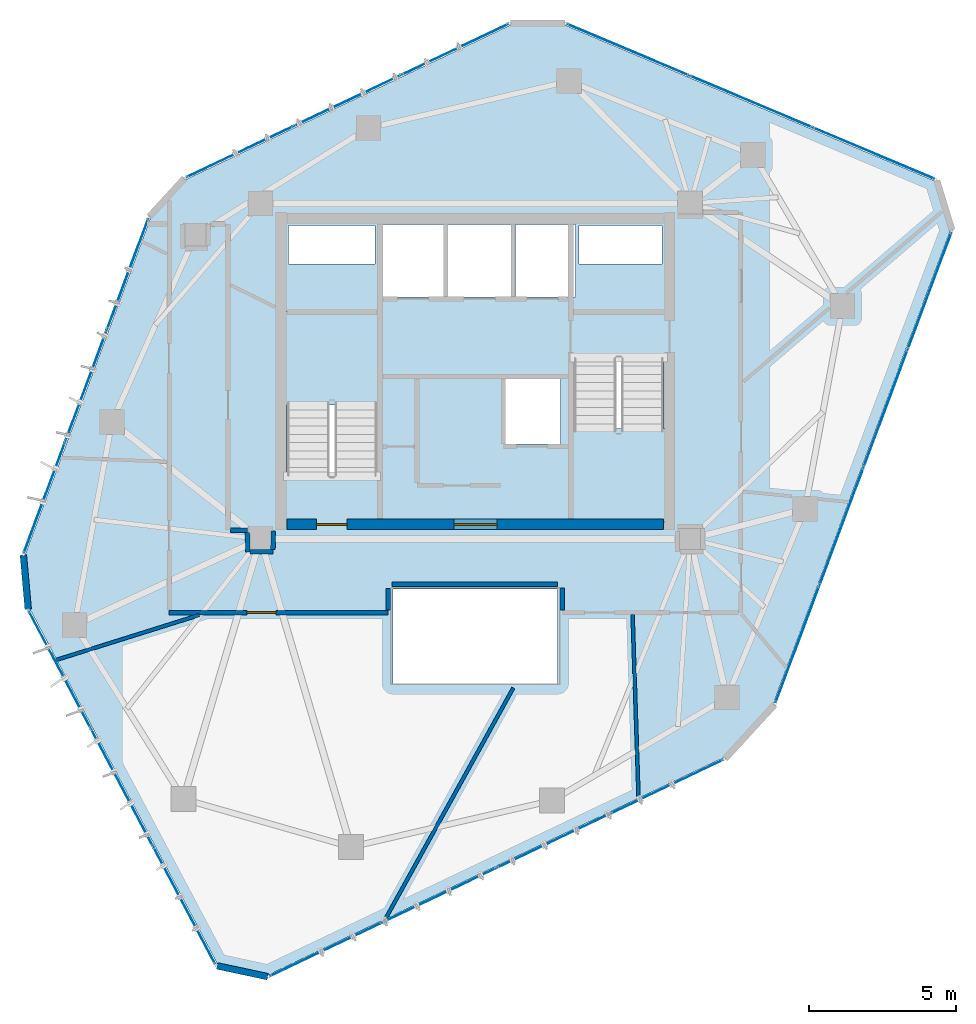
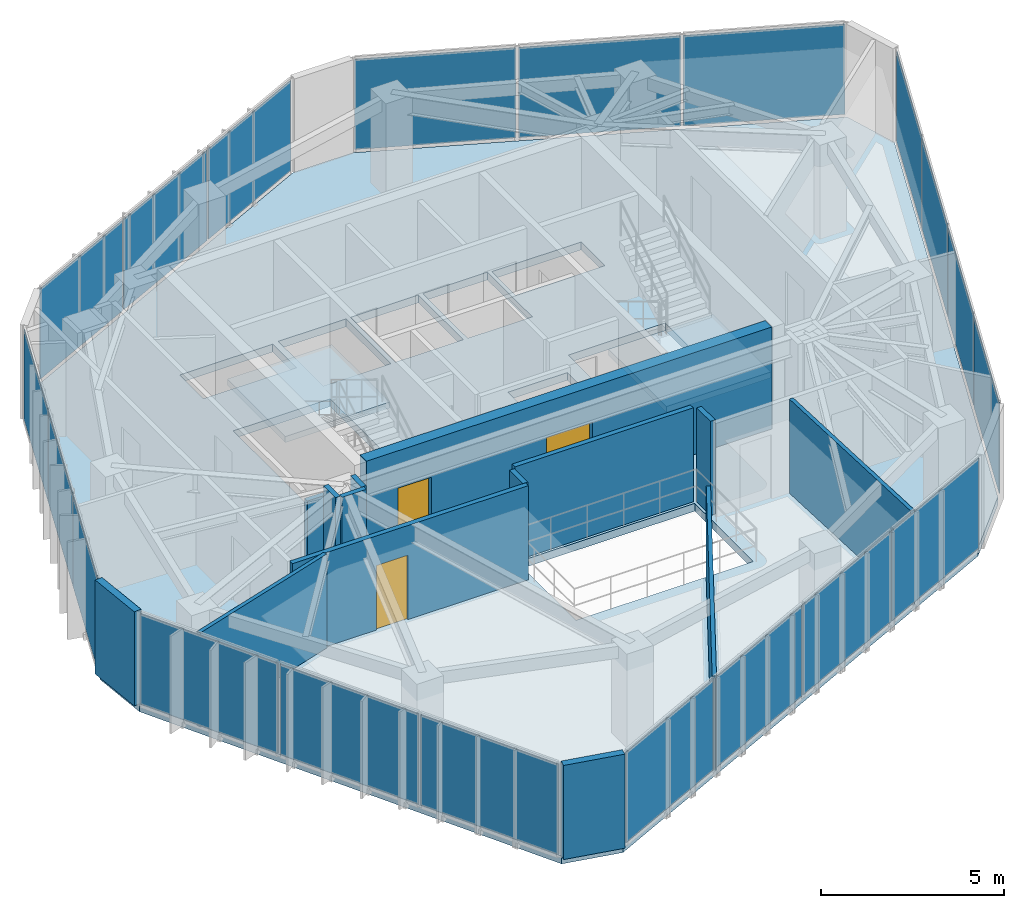
# One storey, part 16 of 20: 20 plates, 14 walls, 3 doors, 3 slabs, 3 openings, 8 elements without a shape of their own.
"""IFC4 building model written with IfcOpenShell, lengths in metres."""

import ifcopenshell
import ifcopenshell.guid

model = None  # the IFC model being written
_history = None  # IfcOwnerHistory: only IFC2X3 demands one
_inside = {}  # id of a spatial element -> (the spatial element, [elements in it])
_under = {}  # id of a project, library or spatial element -> (it, [spatial elements below it])
_declared = {}  # id of a project -> (the project, [libraries it declares])
_typed = {}  # id of a type object -> (the type object, [elements of that type])
_made_of = {}  # id of a material, layer set ... -> (it, [elements and type objects made of it])


def new_model(schema):
    """Start an empty IFC model of exactly this schema.

    Asked for "IFC4X3", IfcOpenShell would pick the latest addendum, in which some entities
    have other attributes; the version numbers below select the first issue.
    IFC2X3 requires an IfcOwnerHistory on every rooted entity: one is made here for all.
    """
    global model, _history
    if schema == "IFC4X3":
        model = ifcopenshell.file(schema_version=(4, 3, 0, 0))
    else:
        model = ifcopenshell.file(schema=schema)
    _inside.clear()
    _under.clear()
    _declared.clear()
    _typed.clear()
    _made_of.clear()
    _history = None
    if model.schema == "IFC2X3":
        org = make("IfcOrganization", Name="unknown")
        user = make(
            "IfcPersonAndOrganization",
            ThePerson=make("IfcPerson", FamilyName="unknown"),
            TheOrganization=org,
        )
        app = make(
            "IfcApplication",
            ApplicationDeveloper=org,
            Version="unknown",
            ApplicationFullName="unknown",
            ApplicationIdentifier="unknown",
        )
        _history = make(
            "IfcOwnerHistory",
            OwningUser=user,
            OwningApplication=app,
            ChangeAction="ADDED",
            CreationDate=0,
        )
    return model


def make(cls, **values):
    """One entity of the class cls with the attributes given. An attribute that is None is left unset."""
    return model.create_entity(
        cls, **{name: value for name, value in values.items() if value is not None}
    )


def rooted(cls, **values):
    """An entity with a GlobalId (a new one), such as an element, a storey or a relation."""
    return make(cls, GlobalId=ifcopenshell.guid.new(), OwnerHistory=_history, **values)


def si_unit(unit_type, name, prefix=None):
    """IfcSIUnit, for example si_unit("LENGTHUNIT", "METRE", prefix="MILLI")."""
    return make("IfcSIUnit", UnitType=unit_type, Prefix=prefix, Name=name)


def assignment(units):
    """IfcUnitAssignment: the units of a project."""
    return None if units is None else make("IfcUnitAssignment", Units=units)


def point(xyz):
    """IfcCartesianPoint."""
    return None if xyz is None else make("IfcCartesianPoint", Coordinates=xyz)


def direction(xyz):
    """IfcDirection."""
    return None if xyz is None else make("IfcDirection", DirectionRatios=xyz)


def frame(location, z_axis=None, x_axis=None):
    """IfcAxis2Placement3D, a coordinate frame: its origin and axes. An axis left out is left unset."""
    return make(
        "IfcAxis2Placement3D",
        Location=point(location),
        Axis=direction(z_axis),
        RefDirection=direction(x_axis),
    )


def frame_2d(location, x_axis=None):
    """IfcAxis2Placement2D, a coordinate frame in the plane: its origin and x axis."""
    return make(
        "IfcAxis2Placement2D", Location=point(location), RefDirection=direction(x_axis)
    )


def origin():
    """The frame at (0, 0, 0) with its axes left unset."""
    return frame((0.0, 0.0, 0.0))


def origin_2d():
    """The frame at (0, 0) in the plane with its x axis left unset."""
    return frame_2d((0.0, 0.0))


def place(relative_to, where):
    """IfcLocalPlacement: puts the frame where relative to a parent placement (None: the world)."""
    return make(
        "IfcLocalPlacement", PlacementRelTo=relative_to, RelativePlacement=where
    )


def context(
    kind, dimensions, precision=None, world=None, true_north=None, identifier=None
):
    """IfcGeometricRepresentationContext, for example the 3D "Model" context."""
    return make(
        "IfcGeometricRepresentationContext",
        ContextIdentifier=identifier,
        ContextType=kind,
        CoordinateSpaceDimension=dimensions,
        Precision=precision,
        WorldCoordinateSystem=world,
        TrueNorth=true_north,
    )


def subcontext(parent, identifier, kind, view, scale=None):
    """IfcGeometricRepresentationSubContext, for example "Body" below "Model"."""
    return make(
        "IfcGeometricRepresentationSubContext",
        ContextIdentifier=identifier,
        ContextType=kind,
        ParentContext=parent,
        TargetScale=scale,
        TargetView=view,
    )


def project(units=None, contexts=None):
    """IfcProject with its units and contexts."""
    return rooted(
        "IfcProject",
        Name="project",
        RepresentationContexts=contexts,
        UnitsInContext=assignment(units),
    )


def spatial(cls, under=None, at=None, **own):
    """A site, building, storey or space (cls), placed at a placement, below another one or the project."""
    s = rooted(cls, ObjectPlacement=at, **own)
    if under is not None:
        _under.setdefault(under.id(), (under, []))[1].append(s)
    return s


def polyline(points):
    """IfcPolyline through the points."""
    return make("IfcPolyline", Points=[point(p) for p in points])


def profile(cls, at=None, kind="AREA", **sizes):
    """A parametric profile (cls). Its sizes go by their IFC names, for example OverallWidth=200.0."""
    return make(cls, ProfileType=kind, Position=at, **sizes)


def rectangle(**sizes):
    """IfcRectangleProfileDef."""
    return profile("IfcRectangleProfileDef", **sizes)


def outline(outer, holes=None, kind="AREA"):
    """IfcArbitraryClosedProfileDef: a profile drawn as a closed curve; with holes, ...WithVoids."""
    if holes is None:
        return make("IfcArbitraryClosedProfileDef", ProfileType=kind, OuterCurve=outer)
    return make(
        "IfcArbitraryProfileDefWithVoids",
        ProfileType=kind,
        OuterCurve=outer,
        InnerCurves=holes,
    )


def extrude(swept, where, along, depth):
    """IfcExtrudedAreaSolid: the profile swept, set in the frame where, extruded along a direction by depth."""
    return make(
        "IfcExtrudedAreaSolid",
        SweptArea=swept,
        Position=where,
        ExtrudedDirection=direction(along),
        Depth=depth,
    )


def shape(context_of_items, identifier, shape_type, items):
    """IfcShapeRepresentation: the items that make up one representation, for example the "Body"."""
    return make(
        "IfcShapeRepresentation",
        ContextOfItems=context_of_items,
        RepresentationIdentifier=identifier,
        RepresentationType=shape_type,
        Items=items,
    )


def source(mapping_origin, context_of_items, identifier, shape_type, items):
    """IfcRepresentationMap: a shape defined once, which mapped items show again and again."""
    return make(
        "IfcRepresentationMap",
        MappingOrigin=mapping_origin,
        MappedRepresentation=shape(context_of_items, identifier, shape_type, items),
    )


def transform(
    local_origin,
    x_axis=None,
    y_axis=None,
    z_axis=None,
    scale=None,
    scale2=None,
    scale3=None,
    uniform=True,
):
    """IfcCartesianTransformationOperator3D, or its non-uniform kind. x_axis, y_axis, z_axis: its Axis1, 2, 3."""
    if uniform:
        return make(
            "IfcCartesianTransformationOperator3D",
            Axis1=direction(x_axis),
            Axis2=direction(y_axis),
            LocalOrigin=point(local_origin),
            Scale=scale,
            Axis3=direction(z_axis),
        )
    return make(
        "IfcCartesianTransformationOperator3DnonUniform",
        Axis1=direction(x_axis),
        Axis2=direction(y_axis),
        LocalOrigin=point(local_origin),
        Scale=scale,
        Axis3=direction(z_axis),
        Scale2=scale2,
        Scale3=scale3,
    )


def mapped(mapping_source, mapping_target):
    """IfcMappedItem: shows the shape of a source again, moved by a transform."""
    return make(
        "IfcMappedItem", MappingSource=mapping_source, MappingTarget=mapping_target
    )


def material(Name=None, Category=None):
    """IfcMaterial."""
    return make("IfcMaterial", Name=Name, Category=Category)


def layer(
    of_material, thickness, ventilated=None, Name=None, Category=None, Priority=None
):
    """IfcMaterialLayer: one layer of a wall or slab, of a material (None: an air gap)."""
    return make(
        "IfcMaterialLayer",
        Material=of_material,
        LayerThickness=thickness,
        IsVentilated=ventilated,
        Name=Name,
        Category=Category,
        Priority=Priority,
    )


def layer_set(layers, Name=None):
    """IfcMaterialLayerSet."""
    return make("IfcMaterialLayerSet", MaterialLayers=layers, LayerSetName=Name)


def made_of(thing, what):
    """Note that an element or type object is made of a material, layer set ...; save() writes the relation."""
    if what is not None:
        _made_of.setdefault(what.id(), (what, []))[1].append(thing)
    return thing


def type_object(cls, material=None, **own):
    """A type object (cls), such as IfcWallType, which elements share."""
    return made_of(rooted(cls, **own), material)


def type_shapes(of_type, sources):
    """Give a type object the sources (RepresentationMaps) that its elements show as mapped items."""
    of_type.RepresentationMaps = sources


def element(
    cls,
    number,
    at=None,
    inside=None,
    cuts=None,
    type_object=None,
    material=None,
    context=None,
    identifier="Body",
    shape_type=None,
    held_by="IfcProductDefinitionShape",
    body=None,
    shapes=None,
    **own,
):
    """One element of the class cls, such as IfcWall. Its Tag is "e" and its number.

    at: its placement. inside: the storey or other place that contains it. cuts: it is an
    opening in that element (IfcRelVoidsElement). A single representation is given by context,
    identifier, shape_type and body (its items); several are given by shapes. held_by: the class
    of the entity that holds the representations. save() writes the other relations.
    """
    e = rooted(cls, Tag="e%d" % number, ObjectPlacement=at, **own)
    if body is not None:
        shapes = [shape(context, identifier, shape_type, body)]
    if shapes is not None:
        e.Representation = make(held_by, Representations=shapes)
    if inside is not None:
        _inside.setdefault(inside.id(), (inside, []))[1].append(e)
    if cuts is not None:
        rooted(
            "IfcRelVoidsElement", RelatingBuildingElement=cuts, RelatedOpeningElement=e
        )
    if type_object is not None:
        _typed.setdefault(type_object.id(), (type_object, []))[1].append(e)
    return made_of(e, material)


def fill(opening, filler):
    """IfcRelFillsElement: the door or window that sits in an opening."""
    return rooted(
        "IfcRelFillsElement",
        RelatingOpeningElement=opening,
        RelatedBuildingElement=filler,
    )


def aggregate(whole, parts):
    """IfcRelAggregates: a whole, such as a stair, and the parts it consists of."""
    return rooted("IfcRelAggregates", RelatingObject=whole, RelatedObjects=parts)


def save(model, path):
    """Write the relations noted so far, then the file.

    IfcRelAggregates (storeys below a building ...), IfcRelContainedInSpatialStructure (elements
    in a storey), IfcRelDefinesByType, IfcRelAssociatesMaterial and IfcRelDeclares: one each for
    every whole, place, type object, material and project.
    """
    for whole, parts in _under.values():
        aggregate(whole, parts)
    for where, things in _inside.values():
        rooted(
            "IfcRelContainedInSpatialStructure",
            RelatedElements=things,
            RelatingStructure=where,
        )
    for kind, things in _typed.values():
        rooted("IfcRelDefinesByType", RelatedObjects=things, RelatingType=kind)
    for what, things in _made_of.values():
        rooted("IfcRelAssociatesMaterial", RelatedObjects=things, RelatingMaterial=what)
    for by, libraries in _declared.values():
        rooted("IfcRelDeclares", RelatingContext=by, RelatedDefinitions=libraries)
    model.write(path)


model = new_model("IFC4")

# Units and contexts
model_context = context("Model", 3, precision=1e-05, world=origin(), true_north=direction((0.0, 1.0)))
body_context = subcontext(model_context, "Body", "Model", "MODEL_VIEW")
ifc_project = project(units=[si_unit("LENGTHUNIT", "METRE"), si_unit("AREAUNIT", "SQUARE_METRE"), si_unit("VOLUMEUNIT", "CUBIC_METRE"), si_unit("PLANEANGLEUNIT", "RADIAN"), si_unit("MASSUNIT", "GRAM", prefix="KILO")], contexts=[model_context])

# Site, building, storey
site_placement = place(None, origin())
site = spatial("IfcSite", under=ifc_project, at=site_placement, CompositionType="ELEMENT")
building_placement = place(site_placement, origin())
building = spatial("IfcBuilding", under=site, at=building_placement, Name="Talar Marvaseh", CompositionType="ELEMENT")
storey_placement = place(building_placement, frame((0.0, 0.0, 268.0)))
storey = spatial("IfcBuildingStorey", under=building, at=storey_placement, Name="L71", CompositionType="ELEMENT", Elevation=268.0)

# Stair, slab
ifc_material_1 = material(Name="Concrete C40/50", Category="concrete")
stair_type = type_object("IfcStairType", Name="Reinforced Concrete High-Rise Exit Stair Type C", PredefinedType="HALF_TURN_STAIR", material=ifc_material_1)
stair_1_placement = place(storey_placement, origin())
stair_1 = element("IfcStair", 1, at=stair_1_placement, inside=storey, type_object=stair_type, Name="L71 Tower West Core Exit Stair", PredefinedType="HALF_TURN_STAIR")
ifc_layer_1 = layer(ifc_material_1, 0.199951171875)
ifc_layer_set_1 = layer_set([ifc_layer_1], Name="Concrete C40/50")
slab_type_1 = type_object("IfcSlabType", Name="Reinforced Concrete Stair Half-Landing Slab 200", PredefinedType="LANDING", material=ifc_layer_set_1)
slab_1_placement = place(storey_placement, frame((0.0, 0.0, 1.5)))
slab_1 = element("IfcSlab", 2, at=slab_1_placement, type_object=slab_type_1, Name="ST-1 landing 1", PredefinedType="LANDING", context=body_context, shape_type="SweptSolid", body=[
    extrude(outline(polyline([(22.780029296875, 30.050048828125), (22.780029296875, 33.219970703125), (19.47998046875, 33.219970703125), (19.47998046875, 30.050048828125), (22.780029296875, 30.050048828125)])), origin(), (0.0, 0.0, 1.0), 0.199951171875),
])
aggregate(stair_1, [slab_1])

stair_2_placement = place(storey_placement, origin())
stair_2 = element("IfcStair", 3, at=stair_2_placement, inside=storey, type_object=stair_type, Name="L71 Tower East Core Exit Stair", PredefinedType="HALF_TURN_STAIR")
slab_2_placement = place(storey_placement, frame((0.0, 0.0, 1.5)))
slab_2 = element("IfcSlab", 4, at=slab_2_placement, type_object=slab_type_1, Name="ST-2 landing 1", PredefinedType="LANDING", context=body_context, shape_type="SweptSolid", body=[
    extrude(outline(polyline([(29.219970703125, 29.25), (29.219970703125, 26.080078125), (32.52001953125, 26.080078125), (32.52001953125, 29.25), (29.219970703125, 29.25)])), origin(), (0.0, 0.0, 1.0), 0.199951171875),
])
aggregate(stair_2, [slab_2])

# Slab
ifc_layer_2 = layer(ifc_material_1, 0.260009765625)
ifc_layer_set_2 = layer_set([ifc_layer_2], Name="Concrete C40/50")
slab_type_2 = type_object("IfcSlabType", Name="Structural Suspended Floor Slab 260", PredefinedType="FLOOR", material=ifc_layer_set_2)
slab_3_placement = place(storey_placement, frame((0.0, 0.0, -0.260009765625)))
element("IfcSlab", 5, at=slab_3_placement, inside=storey, type_object=slab_type_2, Name="L71 Tower Floor Slab", PredefinedType="FLOOR", context=body_context, shape_type="SweptSolid", body=[
    extrude(outline(polyline([(18.961181640625, 10.690185546875), (17.241943359375, 11.05810546875), (10.873291015625, 23.114013671875), (10.70751953125, 24.962890625), (14.968505859375, 36.40087890625), (16.17138671875, 37.7138671875), (27.194580078125, 42.95556640625), (29.051025390625, 42.951416015625), (41.6162109375, 37.65771484375), (42.132080078125, 35.977294921875), (36.12548828125, 19.918701171875), (34.434814453125, 18.073974609375), (18.961181640625, 10.690185546875)]), holes=[polyline([(22.659912109375, 27.64990234375), (22.659912109375, 33.10009765625), (19.60009765625, 33.10009765625), (19.60009765625, 27.64990234375), (22.659912109375, 27.64990234375)]), polyline([(29.340087890625, 31.64990234375), (29.340087890625, 26.199951171875), (32.39990234375, 26.199951171875), (32.39990234375, 31.64990234375), (29.340087890625, 31.64990234375)]), polyline([(22.800048828125, 33.719970703125), (24.93994140625, 33.719970703125), (24.93994140625, 36.179931640625), (22.800048828125, 36.179931640625), (22.800048828125, 33.719970703125)]), polyline([(25.080078125, 33.719970703125), (27.219970703125, 33.719970703125), (27.219970703125, 36.179931640625), (25.080078125, 36.179931640625), (25.080078125, 33.719970703125)]), polyline([(27.360107421875, 33.719970703125), (29.39990234375, 33.719970703125), (29.39990234375, 36.179931640625), (27.360107421875, 36.179931640625), (27.360107421875, 33.719970703125)]), polyline([(27.02001953125, 28.719970703125), (28.89990234375, 28.719970703125), (28.89990234375, 30.93994140625), (27.02001953125, 30.93994140625), (27.02001953125, 28.719970703125)]), polyline([(19.659912109375, 34.840087890625), (22.60009765625, 34.840087890625), (22.60009765625, 36.139892578125), (19.659912109375, 36.139892578125), (19.659912109375, 34.840087890625)]), polyline([(29.52001953125, 34.840087890625), (32.340087890625, 34.840087890625), (32.340087890625, 36.139892578125), (29.52001953125, 36.139892578125), (29.52001953125, 34.840087890625)]), polyline([(23.199951171875, 20.60009765625), (28.800048828125, 20.60009765625), (28.800048828125, 23.800048828125), (23.199951171875, 23.800048828125), (23.199951171875, 20.60009765625)])]), origin(), (0.0, 0.0, 1.0), 0.260009765625),
])

# Curtain wall, plates
ifc_material_2 = material(Name="Architectural Aluminium", Category="aluminium")
ifc_layer_3 = layer(ifc_material_2, 0.179931640625)
ifc_layer_set_3 = layer_set([ifc_layer_3], Name="Architectural Aluminium")
curtain_wall_type = type_object("IfcCurtainWallType", Name="Unitised High-Wind Sky Curtain Wall Z4", PredefinedType="NOTDEFINED", material=ifc_layer_set_3)
curtain_wall_1_placement = place(storey_placement, origin())
curtain_wall_1 = element("IfcCurtainWall", 6, at=curtain_wall_1_placement, inside=storey, type_object=curtain_wall_type, Name="L71 Unitised High-Wind Sky Curtain Wall Z4", PredefinedType="NOTDEFINED")
ifc_material_3 = material(Name="Laminated Low-E Solar Glass", Category="glass")
ifc_layer_4 = layer(ifc_material_3, 0.028076171875)
ifc_layer_set_4 = layer_set([ifc_layer_4], Name="Laminated Low-E Solar Glass")
plate_type = type_object("IfcPlateType", Name="Double-Glazed Low-E Vision Curtain Panel 28", PredefinedType="CURTAIN_PANEL", material=ifc_layer_set_4)
shared_shape_1 = source(origin(), body_context, "Body", "SweptSolid", [
    extrude(rectangle(XDim=4.447509765625, YDim=0.028076171875, at=origin_2d()), origin(), (0.0, 0.0, 1.0), 3.010009765625),
])
plate_1_placement = place(storey_placement, frame((31.183349609375, 42.1181640625, 0.06494140625), z_axis=(0.0, 0.0, 1.0), x_axis=(0.921550586962, -0.388258310498, 0.0)))
plate_1 = element("IfcPlate", 7, at=plate_1_placement, type_object=plate_type, Name="CW-Z4 panel 1.1", PredefinedType="CURTAIN_PANEL", context=body_context, shape_type="MappedRepresentation", body=[
    mapped(shared_shape_1, transform((0.0, 0.0, 0.0), x_axis=(1.0, 0.0, 0.0), y_axis=(0.0, 1.0, 0.0), z_axis=(0.0, 0.0, 1.0), scale=1.0)),
])
plate_2_placement = place(storey_placement, frame((39.5302734375, 38.6015625, 0.06494140625), z_axis=(0.0, 0.0, 1.0), x_axis=(0.921550586962, -0.388258310498, 0.0)))
plate_2 = element("IfcPlate", 8, at=plate_2_placement, type_object=plate_type, Name="CW-Z4 panel 3.1", PredefinedType="CURTAIN_PANEL", context=body_context, shape_type="MappedRepresentation", body=[
    mapped(shared_shape_1, transform((0.0, 0.0, 0.0), x_axis=(1.0, 0.0, 0.0), y_axis=(0.0, 1.0, 0.0), z_axis=(0.0, 0.0, 1.0), scale=1.0)),
])

# Curtain wall, plate
curtain_wall_2_placement = place(storey_placement, origin())
curtain_wall_2 = element("IfcCurtainWall", 9, at=curtain_wall_2_placement, inside=storey, type_object=curtain_wall_type, Name="L71 Unitised High-Wind Sky Curtain Wall Z4", PredefinedType="NOTDEFINED")
shared_shape_2 = source(origin(), body_context, "Body", "SweptSolid", [
    extrude(rectangle(XDim=4.47998046875, YDim=0.028076171875, at=origin_2d()), origin(), (0.0, 0.0, 1.0), 3.010009765625),
])
plate_3_placement = place(storey_placement, frame((14.004638671875, 17.05810546875, 0.06494140625), z_axis=(0.0, 0.0, 1.0), x_axis=(-0.467097989071, 0.884205557891, 0.0)))
plate_3 = element("IfcPlate", 10, at=plate_3_placement, type_object=plate_type, Name="CW-Z4 panel 2.1", PredefinedType="CURTAIN_PANEL", context=body_context, shape_type="MappedRepresentation", body=[
    mapped(shared_shape_2, transform((0.0, 0.0, 0.0), x_axis=(1.0, 0.0, 0.0), y_axis=(0.0, 1.0, 0.0), z_axis=(0.0, 0.0, 1.0), scale=1.0)),
])

# Plate
plate_4_placement = place(storey_placement, frame((35.35693359375, 40.35986328125, 0.06494140625), z_axis=(0.0, 0.0, 1.0), x_axis=(0.921550586962, -0.388258310498, 0.0)))
plate_4 = element("IfcPlate", 11, at=plate_4_placement, type_object=plate_type, Name="CW-Z4 panel 2.1", PredefinedType="CURTAIN_PANEL", context=body_context, shape_type="MappedRepresentation", body=[
    mapped(shared_shape_2, transform((0.0, 0.0, 0.0), x_axis=(1.0, 0.0, 0.0), y_axis=(0.0, 1.0, 0.0), z_axis=(0.0, 0.0, 1.0), scale=1.0)),
])

aggregate(curtain_wall_1, [plate_1, plate_4, plate_2])

# Curtain wall, plates
curtain_wall_3_placement = place(storey_placement, origin())
curtain_wall_3 = element("IfcCurtainWall", 12, at=curtain_wall_3_placement, inside=storey, type_object=curtain_wall_type, Name="L71 Unitised High-Wind Sky Curtain Wall Z4", PredefinedType="NOTDEFINED")
shared_shape_3 = source(origin(), body_context, "Body", "SweptSolid", [
    extrude(rectangle(XDim=3.97119140625, YDim=0.028076171875, at=origin_2d()), origin(), (0.0, 0.0, 1.0), 3.010009765625),
])
plate_5_placement = place(storey_placement, frame((11.366943359375, 26.905517578125, 0.06494140625), z_axis=(0.0, 0.0, 1.0), x_axis=(0.34909350612, 0.937087895549, 0.0)))
plate_5 = element("IfcPlate", 13, at=plate_5_placement, type_object=plate_type, Name="CW-Z4 panel 1.1", PredefinedType="CURTAIN_PANEL", context=body_context, shape_type="MappedRepresentation", body=[
    mapped(shared_shape_3, transform((0.0, 0.0, 0.0), x_axis=(1.0, 0.0, 0.0), y_axis=(0.0, 1.0, 0.0), z_axis=(0.0, 0.0, 1.0), scale=1.0)),
])
plate_6_placement = place(storey_placement, frame((14.1962890625, 34.500244140625, 0.06494140625), z_axis=(0.0, 0.0, 1.0), x_axis=(0.34909350612, 0.937087895549, 0.0)))
plate_6 = element("IfcPlate", 14, at=plate_6_placement, type_object=plate_type, Name="CW-Z4 panel 3.1", PredefinedType="CURTAIN_PANEL", context=body_context, shape_type="MappedRepresentation", body=[
    mapped(shared_shape_3, transform((0.0, 0.0, 0.0), x_axis=(1.0, 0.0, 0.0), y_axis=(0.0, 1.0, 0.0), z_axis=(0.0, 0.0, 1.0), scale=1.0)),
])

curtain_wall_4_placement = place(storey_placement, origin())
curtain_wall_4 = element("IfcCurtainWall", 15, at=curtain_wall_4_placement, inside=storey, type_object=curtain_wall_type, Name="L71 Unitised High-Wind Sky Curtain Wall Z4", PredefinedType="NOTDEFINED")
plate_7_placement = place(storey_placement, frame((17.99755859375, 38.648681640625, 0.06494140625), z_axis=(0.0, 0.0, 1.0), x_axis=(0.903095565784, 0.42943963378, 0.0)))
plate_7 = element("IfcPlate", 16, at=plate_7_placement, type_object=plate_type, Name="CW-Z4 panel 1.1", PredefinedType="CURTAIN_PANEL", context=body_context, shape_type="MappedRepresentation", body=[
    mapped(shared_shape_3, transform((0.0, 0.0, 0.0), x_axis=(1.0, 0.0, 0.0), y_axis=(0.0, 1.0, 0.0), z_axis=(0.0, 0.0, 1.0), scale=1.0)),
])
plate_8_placement = place(storey_placement, frame((25.31689453125, 42.129150390625, 0.06494140625), z_axis=(0.0, 0.0, 1.0), x_axis=(0.903095565784, 0.42943963378, 0.0)))
plate_8 = element("IfcPlate", 17, at=plate_8_placement, type_object=plate_type, Name="CW-Z4 panel 3.1", PredefinedType="CURTAIN_PANEL", context=body_context, shape_type="MappedRepresentation", body=[
    mapped(shared_shape_3, transform((0.0, 0.0, 0.0), x_axis=(1.0, 0.0, 0.0), y_axis=(0.0, 1.0, 0.0), z_axis=(0.0, 0.0, 1.0), scale=1.0)),
])

# Plate
shared_shape_4 = source(origin(), body_context, "Body", "SweptSolid", [
    extrude(rectangle(XDim=4.003662109375, YDim=0.028076171875, at=origin_2d()), origin(), (0.0, 0.0, 1.0), 3.010009765625),
])
plate_9_placement = place(storey_placement, frame((12.78173828125, 30.702880859375, 0.06494140625), z_axis=(0.0, 0.0, 1.0), x_axis=(0.34909350612, 0.937087895549, 0.0)))
plate_9 = element("IfcPlate", 18, at=plate_9_placement, type_object=plate_type, Name="CW-Z4 panel 2.1", PredefinedType="CURTAIN_PANEL", context=body_context, shape_type="MappedRepresentation", body=[
    mapped(shared_shape_4, transform((0.0, 0.0, 0.0), x_axis=(1.0, 0.0, 0.0), y_axis=(0.0, 1.0, 0.0), z_axis=(0.0, 0.0, 1.0), scale=1.0)),
])

aggregate(curtain_wall_3, [plate_5, plate_9, plate_6])

plate_10_placement = place(storey_placement, frame((21.6572265625, 40.388916015625, 0.06494140625), z_axis=(0.0, 0.0, 1.0), x_axis=(0.903095565784, 0.42943963378, 0.0)))
plate_10 = element("IfcPlate", 19, at=plate_10_placement, type_object=plate_type, Name="CW-Z4 panel 2.1", PredefinedType="CURTAIN_PANEL", context=body_context, shape_type="MappedRepresentation", body=[
    mapped(shared_shape_4, transform((0.0, 0.0, 0.0), x_axis=(1.0, 0.0, 0.0), y_axis=(0.0, 1.0, 0.0), z_axis=(0.0, 0.0, 1.0), scale=1.0)),
])

aggregate(curtain_wall_4, [plate_7, plate_10, plate_8])

# Curtain wall, plates
curtain_wall_5_placement = place(storey_placement, origin())
curtain_wall_5 = element("IfcCurtainWall", 20, at=curtain_wall_5_placement, inside=storey, type_object=curtain_wall_type, Name="L71 Unitised High-Wind Sky Curtain Wall Z4", PredefinedType="NOTDEFINED")
shared_shape_5 = source(origin(), body_context, "Body", "SweptSolid", [
    extrude(rectangle(XDim=4.188720703125, YDim=0.028076171875, at=origin_2d()), origin(), (0.0, 0.0, 1.0), 3.010009765625),
])
plate_11_placement = place(storey_placement, frame((41.431884765625, 33.93359375, 0.06494140625), z_axis=(0.0, 0.0, 1.0), x_axis=(-0.350351185001, -0.93661841065, 0.0)))
plate_11 = element("IfcPlate", 21, at=plate_11_placement, type_object=plate_type, Name="CW-Z4 panel 1.1", PredefinedType="CURTAIN_PANEL", context=body_context, shape_type="MappedRepresentation", body=[
    mapped(shared_shape_5, transform((0.0, 0.0, 0.0), x_axis=(1.0, 0.0, 0.0), y_axis=(0.0, 1.0, 0.0), z_axis=(0.0, 0.0, 1.0), scale=1.0)),
])
plate_12_placement = place(storey_placement, frame((36.938232421875, 21.92041015625, 0.06494140625), z_axis=(0.0, 0.0, 1.0), x_axis=(-0.350351185001, -0.93661841065, 0.0)))
plate_12 = element("IfcPlate", 22, at=plate_12_placement, type_object=plate_type, Name="CW-Z4 panel 4.1", PredefinedType="CURTAIN_PANEL", context=body_context, shape_type="MappedRepresentation", body=[
    mapped(shared_shape_5, transform((0.0, 0.0, 0.0), x_axis=(1.0, 0.0, 0.0), y_axis=(0.0, 1.0, 0.0), z_axis=(0.0, 0.0, 1.0), scale=1.0)),
])

curtain_wall_6_placement = place(storey_placement, origin())
curtain_wall_6 = element("IfcCurtainWall", 23, at=curtain_wall_6_placement, inside=storey, type_object=curtain_wall_type, Name="L71 Unitised High-Wind Sky Curtain Wall Z4", PredefinedType="NOTDEFINED")
plate_13_placement = place(storey_placement, frame((32.51171875, 17.08984375, 0.06494140625), z_axis=(0.0, 0.0, 1.0), x_axis=(-0.902516744235, -0.430654764719, 0.0)))
plate_13 = element("IfcPlate", 24, at=plate_13_placement, type_object=plate_type, Name="CW-Z4 panel 1.1", PredefinedType="CURTAIN_PANEL", context=body_context, shape_type="MappedRepresentation", body=[
    mapped(shared_shape_5, transform((0.0, 0.0, 0.0), x_axis=(1.0, 0.0, 0.0), y_axis=(0.0, 1.0, 0.0), z_axis=(0.0, 0.0, 1.0), scale=1.0)),
])
plate_14_placement = place(storey_placement, frame((20.935791015625, 11.566162109375, 0.06494140625), z_axis=(0.0, 0.0, 1.0), x_axis=(-0.902516744235, -0.430654764719, 0.0)))
plate_14 = element("IfcPlate", 25, at=plate_14_placement, type_object=plate_type, Name="CW-Z4 panel 4.1", PredefinedType="CURTAIN_PANEL", context=body_context, shape_type="MappedRepresentation", body=[
    mapped(shared_shape_5, transform((0.0, 0.0, 0.0), x_axis=(1.0, 0.0, 0.0), y_axis=(0.0, 1.0, 0.0), z_axis=(0.0, 0.0, 1.0), scale=1.0)),
])

# Plate
shared_shape_6 = source(origin(), body_context, "Body", "SweptSolid", [
    extrude(rectangle(XDim=4.22119140625, YDim=0.028076171875, at=origin_2d()), origin(), (0.0, 0.0, 1.0), 3.010009765625),
])
plate_15_placement = place(storey_placement, frame((39.935791015625, 29.934326171875, 0.06494140625), z_axis=(0.0, 0.0, 1.0), x_axis=(-0.350351185001, -0.93661841065, 0.0)))
plate_15 = element("IfcPlate", 26, at=plate_15_placement, type_object=plate_type, Name="CW-Z4 panel 2.1", PredefinedType="CURTAIN_PANEL", context=body_context, shape_type="MappedRepresentation", body=[
    mapped(shared_shape_6, transform((0.0, 0.0, 0.0), x_axis=(1.0, 0.0, 0.0), y_axis=(0.0, 1.0, 0.0), z_axis=(0.0, 0.0, 1.0), scale=1.0)),
])

plate_16_placement = place(storey_placement, frame((38.43408203125, 25.919677734375, 0.06494140625), z_axis=(0.0, 0.0, 1.0), x_axis=(-0.350351185001, -0.93661841065, 0.0)))
plate_16 = element("IfcPlate", 27, at=plate_16_placement, type_object=plate_type, Name="CW-Z4 panel 3.1", PredefinedType="CURTAIN_PANEL", context=body_context, shape_type="MappedRepresentation", body=[
    mapped(shared_shape_6, transform((0.0, 0.0, 0.0), x_axis=(1.0, 0.0, 0.0), y_axis=(0.0, 1.0, 0.0), z_axis=(0.0, 0.0, 1.0), scale=1.0)),
])

aggregate(curtain_wall_5, [plate_11, plate_15, plate_16, plate_12])

plate_17_placement = place(storey_placement, frame((28.657958984375, 15.250732421875, 0.06494140625), z_axis=(0.0, 0.0, 1.0), x_axis=(-0.902516744235, -0.430654764719, 0.0)))
plate_17 = element("IfcPlate", 28, at=plate_17_placement, type_object=plate_type, Name="CW-Z4 panel 2.1", PredefinedType="CURTAIN_PANEL", context=body_context, shape_type="MappedRepresentation", body=[
    mapped(shared_shape_6, transform((0.0, 0.0, 0.0), x_axis=(1.0, 0.0, 0.0), y_axis=(0.0, 1.0, 0.0), z_axis=(0.0, 0.0, 1.0), scale=1.0)),
])

plate_18_placement = place(storey_placement, frame((24.78955078125, 13.405029296875, 0.06494140625), z_axis=(0.0, 0.0, 1.0), x_axis=(-0.902516744235, -0.430654764719, 0.0)))
plate_18 = element("IfcPlate", 29, at=plate_18_placement, type_object=plate_type, Name="CW-Z4 panel 3.1", PredefinedType="CURTAIN_PANEL", context=body_context, shape_type="MappedRepresentation", body=[
    mapped(shared_shape_6, transform((0.0, 0.0, 0.0), x_axis=(1.0, 0.0, 0.0), y_axis=(0.0, 1.0, 0.0), z_axis=(0.0, 0.0, 1.0), scale=1.0)),
])

aggregate(curtain_wall_6, [plate_13, plate_17, plate_18, plate_14])

shared_shape_7 = source(origin(), body_context, "Body", "SweptSolid", [
    extrude(rectangle(XDim=4.447265625, YDim=0.028076171875, at=origin_2d()), origin(), (0.0, 0.0, 1.0), 3.010009765625),
])
type_shapes(plate_type, [shared_shape_1, shared_shape_2, shared_shape_3, shared_shape_4, shared_shape_5, shared_shape_6, shared_shape_7])
plate_19_placement = place(storey_placement, frame((16.119873046875, 13.0537109375, 0.06494140625), z_axis=(0.0, 0.0, 1.0), x_axis=(-0.467097989071, 0.884205557891, 0.0)))
plate_19 = element("IfcPlate", 30, at=plate_19_placement, type_object=plate_type, Name="CW-Z4 panel 1.1", PredefinedType="CURTAIN_PANEL", context=body_context, shape_type="MappedRepresentation", body=[
    mapped(shared_shape_7, transform((0.0, 0.0, 0.0), x_axis=(1.0, 0.0, 0.0), y_axis=(0.0, 1.0, 0.0), z_axis=(0.0, 0.0, 1.0), scale=1.0)),
])

plate_20_placement = place(storey_placement, frame((11.88916015625, 21.062255859375, 0.06494140625), z_axis=(0.0, 0.0, 1.0), x_axis=(-0.467097989071, 0.884205557891, 0.0)))
plate_20 = element("IfcPlate", 31, at=plate_20_placement, type_object=plate_type, Name="CW-Z4 panel 3.1", PredefinedType="CURTAIN_PANEL", context=body_context, shape_type="MappedRepresentation", body=[
    mapped(shared_shape_7, transform((0.0, 0.0, 0.0), x_axis=(1.0, 0.0, 0.0), y_axis=(0.0, 1.0, 0.0), z_axis=(0.0, 0.0, 1.0), scale=1.0)),
])

aggregate(curtain_wall_2, [plate_19, plate_3, plate_20])

# Walls
ifc_material_4 = material(Name="Precast concrete C45/55", Category="concrete")
ifc_layer_5 = layer(ifc_material_4, 0.22509765625)
ifc_layer_set_5 = layer_set([ifc_layer_5], Name="Precast concrete C45/55")
wall_type_1 = type_object("IfcWallType", Name="Chamfered Hexagonal Corner Pier Wall Z4 225", PredefinedType="SOLIDWALL", material=ifc_layer_set_5)
wall_1_placement = place(storey_placement, frame((18.948486328125, 10.631591796875, 0.0), z_axis=(0.0, 0.0, 1.0), x_axis=(-0.977853195038, 0.20929197059, 0.0)))
element("IfcWall", 32, at=wall_1_placement, inside=storey, type_object=wall_type_1, Name="L71 Chamfered Corner Limestone Pier 1", PredefinedType="SOLIDWALL", context=body_context, shape_type="SweptSolid", body=[
    extrude(rectangle(XDim=1.7578125, YDim=0.22509765625, at=frame_2d((0.87890625, 0.0))), origin(), (0.0, 0.0, 1.0), 3.139892578125),
])
wall_2_placement = place(storey_placement, frame((10.8134765625, 23.1083984375, 0.0), z_axis=(0.0, 0.0, 1.0), x_axis=(-0.089290706017, 0.996005607323, 0.0)))
element("IfcWall", 33, at=wall_2_placement, inside=storey, type_object=wall_type_1, Name="L71 Chamfered Corner Limestone Pier 2", PredefinedType="SOLIDWALL", context=body_context, shape_type="SweptSolid", body=[
    extrude(rectangle(XDim=1.8564453125, YDim=0.22509765625, at=frame_2d((0.92822265625, 0.0))), origin(), (0.0, 0.0, 1.0), 3.139892578125),
])

# Wall, opening, door
ifc_material_5 = material(Name="Gypsum Board Partition Assembly")
ifc_layer_6 = layer(ifc_material_5, 0.155029296875)
ifc_layer_set_6 = layer_set([ifc_layer_6], Name="Gypsum Board Partition Assembly")
wall_type_2 = type_object("IfcWallType", Name="Corridor Fire-Rated Acoustic Partition 155", PredefinedType="PARTITIONING", material=ifc_layer_set_6)
wall_3_placement = place(storey_placement, frame((23.0400390625, 23.0, 0.0), z_axis=(0.0, 0.0, 1.0), x_axis=(-1.0, 0.0, 0.0)))
wall_3 = element("IfcWall", 34, at=wall_3_placement, inside=storey, type_object=wall_type_2, Name="L71 Interior Partition Wall", PredefinedType="PARTITIONING", context=body_context, shape_type="SweptSolid", body=[
    extrude(rectangle(XDim=7.43994140625, YDim=0.155029296875, at=frame_2d((3.719970703125, 0.0))), origin(), (0.0, 0.0, 1.0), 3.139892578125),
])
opening_1_placement = place(wall_3_placement, frame((3.802001953125, 0.0, 0.0)))
opening_1 = element("IfcOpeningElement", 35, at=opening_1_placement, cuts=wall_3, Name="Opening DR-RM100", PredefinedType="OPENING", context=body_context, shape_type="SweptSolid", body=[
    extrude(rectangle(XDim=1.0, YDim=2.14990234375, at=frame_2d((0.5, 1.074951171875))), frame((0.0, 0.08740234375, 0.0), z_axis=(0.0, -1.0, 0.0), x_axis=(1.0, 0.0, 0.0)), (0.0, 0.0, 1.0), 0.175048828125),
])
ifc_material_6 = material(Name="Acoustic Engineered Oak Timber", Category="wood")
door_type_1 = type_object("IfcDoorType", Name="Corridor Fire-Rated Gallery Door 1000x2150", OperationType="NOTDEFINED", PredefinedType="DOOR", material=ifc_material_6)
shared_shape_8 = source(origin(), body_context, "Body", "SweptSolid", [
    extrude(rectangle(XDim=1.0, YDim=2.14990234375, at=frame_2d((0.5, 1.074951171875))), frame((0.0, 0.02490234375, 0.0), z_axis=(0.0, -1.0, 0.0), x_axis=(1.0, 0.0, 0.0)), (0.0, 0.0, 1.0), 0.050048828125),
])
type_shapes(door_type_1, [shared_shape_8])
door_1_placement = place(opening_1_placement, origin())
door_1 = element("IfcDoor", 36, at=door_1_placement, inside=storey, type_object=door_type_1, Name="L71 Curatorial Staff Control Room Door", OperationType="SINGLE_SWING_LEFT", OverallHeight=2.14990234375, OverallWidth=1.0, PredefinedType="DOOR", context=body_context, shape_type="MappedRepresentation", body=[
    mapped(shared_shape_8, transform((0.0, 0.0, 0.0), x_axis=(1.0, 0.0, 0.0), y_axis=(0.0, 1.0, 0.0), z_axis=(0.0, 0.0, 1.0), scale=1.0)),
])
fill(opening_1, door_1)

# Walls
wall_4_placement = place(storey_placement, frame((17.68359375, 25.800048828125, 0.0), z_axis=(0.0, 0.0, 1.0), x_axis=(1.0, 0.0, 0.0)))
element("IfcWall", 37, at=wall_4_placement, inside=storey, type_object=wall_type_2, Name="L71 Interior Partition Wall", PredefinedType="PARTITIONING", context=body_context, shape_type="SweptSolid", body=[
    extrude(rectangle(XDim=0.576416015625, YDim=0.155029296875, at=frame_2d((0.2880859375, 0.0))), origin(), (0.0, 0.0, 1.0), 2.802001953125),
])
wall_5_placement = place(storey_placement, frame((18.260986328125, 25.716552734375, 0.0), z_axis=(0.0, 0.0, 1.0), x_axis=(0.010439401276, -0.999945507966, 0.0)))
element("IfcWall", 38, at=wall_5_placement, inside=storey, type_object=wall_type_2, Name="L71 Interior Partition Wall", PredefinedType="PARTITIONING", context=body_context, shape_type="SweptSolid", body=[
    extrude(rectangle(XDim=0.65478515625, YDim=0.155029296875, at=frame_2d((0.327392578125, 0.0))), origin(), (0.0, 0.0, 1.0), 3.139892578125),
])
wall_6_placement = place(storey_placement, frame((18.351318359375, 25.0615234375, 0.0), z_axis=(0.0, 0.0, 1.0), x_axis=(0.999998207633, -0.001893338355, 0.0)))
element("IfcWall", 39, at=wall_6_placement, inside=storey, type_object=wall_type_2, Name="L71 Interior Partition Wall", PredefinedType="PARTITIONING", context=body_context, shape_type="SweptSolid", body=[
    extrude(rectangle(XDim=0.773681640625, YDim=0.155029296875, at=frame_2d((0.38671875, 0.0))), origin(), (0.0, 0.0, 1.0), 3.139892578125),
])
wall_7_placement = place(storey_placement, frame((19.126708984375, 25.1435546875, 0.0), z_axis=(0.0, 0.0, 1.0), x_axis=(0.021238324089, 0.999774441357, 0.0)))
element("IfcWall", 40, at=wall_7_placement, inside=storey, type_object=wall_type_2, Name="L71 Interior Partition Wall", PredefinedType="PARTITIONING", context=body_context, shape_type="SweptSolid", body=[
    extrude(rectangle(XDim=0.620849609375, YDim=0.155029296875, at=frame_2d((0.310546875, 0.0))), origin(), (0.0, 0.0, 1.0), 3.139892578125),
])
wall_8_placement = place(storey_placement, frame((28.959716796875, 23.08349609375, 0.0), z_axis=(0.0, 0.0, 1.0), x_axis=(-0.003917697652, 0.999992325793, 0.0)))
element("IfcWall", 41, at=wall_8_placement, inside=storey, type_object=wall_type_2, Name="L71 Interior Partition Wall", PredefinedType="PARTITIONING", context=body_context, shape_type="SweptSolid", body=[
    extrude(rectangle(XDim=0.747802734375, YDim=0.155029296875, at=frame_2d((0.3740234375, 0.0))), origin(), (0.0, 0.0, 1.0), 3.139892578125),
])
wall_9_placement = place(storey_placement, frame((28.800048828125, 23.9599609375, 0.0), z_axis=(0.0, 0.0, 1.0), x_axis=(-0.999999841177, -0.000563600015, 0.0)))
element("IfcWall", 42, at=wall_9_placement, inside=storey, type_object=wall_type_2, Name="L71 Interior Partition Wall", PredefinedType="PARTITIONING", context=body_context, shape_type="SweptSolid", body=[
    extrude(rectangle(XDim=5.63134765625, YDim=0.155029296875, at=frame_2d((2.815673828125, 0.0))), origin(), (0.0, 0.0, 1.0), 3.139892578125),
])
wall_10_placement = place(storey_placement, frame((23.040771484375, 23.815673828125, 0.0), z_axis=(0.0, 0.0, 1.0), x_axis=(-0.001000332944, -0.999999499667, 0.0)))
element("IfcWall", 43, at=wall_10_placement, inside=storey, type_object=wall_type_2, Name="L71 Interior Partition Wall", PredefinedType="PARTITIONING", context=body_context, shape_type="SweptSolid", body=[
    extrude(rectangle(XDim=0.732177734375, YDim=0.155029296875, at=frame_2d((0.3662109375, 0.0))), origin(), (0.0, 0.0, 1.0), 3.139892578125),
])
ifc_layer_7 = layer(ifc_material_5, 0.1201171875)
ifc_layer_set_7 = layer_set([ifc_layer_7], Name="Gypsum Board Partition Assembly")
wall_type_3 = type_object("IfcWallType", Name="Demountable Studio Room Partition 120", PredefinedType="PARTITIONING", material=ifc_layer_set_7)
wall_11_placement = place(storey_placement, frame((16.6240234375, 22.91650390625, 0.0), z_axis=(0.0, 0.0, 1.0), x_axis=(-0.954104489582, -0.299473910314, 0.0)))
element("IfcWall", 44, at=wall_11_placement, inside=storey, type_object=wall_type_3, Name="L71 Interior Partition Wall", PredefinedType="PARTITIONING", context=body_context, shape_type="SweptSolid", body=[
    extrude(rectangle(XDim=5.1123046875, YDim=0.1201171875, at=frame_2d((2.55615234375, 0.0))), origin(), (0.0, 0.0, 1.0), 3.139892578125),
])
wall_12_placement = place(storey_placement, frame((27.2900390625, 20.43994140625, 0.0), z_axis=(0.0, 0.0, 1.0), x_axis=(-0.484391839713, -0.874851156266, 0.0)))
element("IfcWall", 45, at=wall_12_placement, inside=storey, type_object=wall_type_3, Name="L71 Interior Partition Wall", PredefinedType="PARTITIONING", context=body_context, shape_type="SweptSolid", body=[
    extrude(rectangle(XDim=9.050048828125, YDim=0.1201171875, at=frame_2d((4.52490234375, 0.0))), origin(), (0.0, 0.0, 1.0), 3.139892578125),
])
wall_13_placement = place(storey_placement, frame((31.342041015625, 22.93505859375, 0.0), z_axis=(0.0, 0.0, 1.0), x_axis=(0.032519234943, -0.999471109817, 0.0)))
element("IfcWall", 46, at=wall_13_placement, inside=storey, type_object=wall_type_3, Name="L71 Interior Partition Wall", PredefinedType="PARTITIONING", context=body_context, shape_type="SweptSolid", body=[
    extrude(rectangle(XDim=6.283935546875, YDim=0.1201171875, at=frame_2d((3.14208984375, 0.0))), origin(), (0.0, 0.0, 1.0), 3.139892578125),
])

# Wall, openings, doors
ifc_material_7 = material(Name="Concrete C50/60", Category="concrete")
ifc_layer_8 = layer(ifc_material_7, 0.360107421875)
ifc_layer_set_8 = layer_set([ifc_layer_8], Name="Concrete C50/60")
wall_type_4 = type_object("IfcWallType", Name="Upper Core Reinforced Concrete Shear Wall 360", PredefinedType="SHEAR", material=ifc_layer_set_8)
wall_14_placement = place(storey_placement, frame((32.39990234375, 26.0, 0.0), z_axis=(0.0, 0.0, 1.0), x_axis=(-1.0, 0.0, 0.0)))
wall_14 = element("IfcWall", 47, at=wall_14_placement, inside=storey, type_object=wall_type_4, Name="L71 South Core Shear Wall", PredefinedType="SHEAR", context=body_context, shape_type="SweptSolid", body=[
    extrude(rectangle(XDim=12.7998046875, YDim=0.360107421875, at=frame_2d((6.39990234375, 0.0))), origin(), (0.0, 0.0, 1.0), 3.39990234375),
])
opening_2_placement = place(wall_14_placement, frame((10.75, 0.0, 0.0)))
opening_2 = element("IfcOpeningElement", 48, at=opening_2_placement, cuts=wall_14, Name="Opening DR-ST105", PredefinedType="OPENING", context=body_context, shape_type="SweptSolid", body=[
    extrude(rectangle(XDim=1.050048828125, YDim=2.14990234375, at=frame_2d((0.52490234375, 1.074951171875))), frame((0.0, 0.18994140625, 0.0), z_axis=(0.0, -1.0, 0.0), x_axis=(1.0, 0.0, 0.0)), (0.0, 0.0, 1.0), 0.380126953125),
])
opening_3_placement = place(wall_14_placement, frame((5.669921875, 0.0, 0.0)))
opening_3 = element("IfcOpeningElement", 49, at=opening_3_placement, cuts=wall_14, Name="Opening DR-LBY145", PredefinedType="OPENING", context=body_context, shape_type="SweptSolid", body=[
    extrude(rectangle(XDim=1.449951171875, YDim=2.199951171875, at=frame_2d((0.72509765625, 1.10009765625))), frame((0.0, 0.18994140625, 0.0), z_axis=(0.0, -1.0, 0.0), x_axis=(1.0, 0.0, 0.0)), (0.0, 0.0, 1.0), 0.380126953125),
])
ifc_material_8 = material(Name="Fire-Rated Steel Door Leaf", Category="steel")
door_type_2 = type_object("IfcDoorType", Name="Protected Exit Stair Fire Door 1050x2150", OperationType="NOTDEFINED", PredefinedType="DOOR", material=ifc_material_8)
shared_shape_9 = source(origin(), body_context, "Body", "SweptSolid", [
    extrude(rectangle(XDim=1.050048828125, YDim=2.14990234375, at=frame_2d((0.52490234375, 1.074951171875))), frame((0.0, 0.02490234375, 0.0), z_axis=(0.0, -1.0, 0.0), x_axis=(1.0, 0.0, 0.0)), (0.0, 0.0, 1.0), 0.050048828125),
])
type_shapes(door_type_2, [shared_shape_9])
door_2_placement = place(opening_2_placement, origin())
door_2 = element("IfcDoor", 50, at=door_2_placement, inside=storey, type_object=door_type_2, Name="L71 Stair ST-1 Exit Door", OperationType="SINGLE_SWING_RIGHT", OverallHeight=2.14990234375, OverallWidth=1.050048828125, PredefinedType="DOOR", context=body_context, shape_type="MappedRepresentation", body=[
    mapped(shared_shape_9, transform((0.0, 0.0, 0.0), x_axis=(1.0, 0.0, 0.0), y_axis=(0.0, 1.0, 0.0), z_axis=(0.0, 0.0, 1.0), scale=1.0)),
])
fill(opening_2, door_2)
door_type_3 = type_object("IfcDoorType", Name="Core Lift Lobby Double Smoke Door 1450x2200", OperationType="NOTDEFINED", PredefinedType="DOOR", material=ifc_material_8)
shared_shape_10 = source(origin(), body_context, "Body", "SweptSolid", [
    extrude(rectangle(XDim=1.449951171875, YDim=2.199951171875, at=frame_2d((0.72509765625, 1.10009765625))), frame((0.0, 0.02490234375, 0.0), z_axis=(0.0, -1.0, 0.0), x_axis=(1.0, 0.0, 0.0)), (0.0, 0.0, 1.0), 0.050048828125),
])
type_shapes(door_type_3, [shared_shape_10])
door_3_placement = place(opening_3_placement, origin())
door_3 = element("IfcDoor", 51, at=door_3_placement, inside=storey, type_object=door_type_3, Name="L71 Passenger Lift Lobby Entrance Door", OperationType="DOUBLE_DOOR_SINGLE_SWING", OverallHeight=2.199951171875, OverallWidth=1.449951171875, PredefinedType="DOOR", context=body_context, shape_type="MappedRepresentation", body=[
    mapped(shared_shape_10, transform((0.0, 0.0, 0.0), x_axis=(1.0, 0.0, 0.0), y_axis=(0.0, 1.0, 0.0), z_axis=(0.0, 0.0, 1.0), scale=1.0)),
])
fill(opening_3, door_3)

save(model, "model.ifc")
